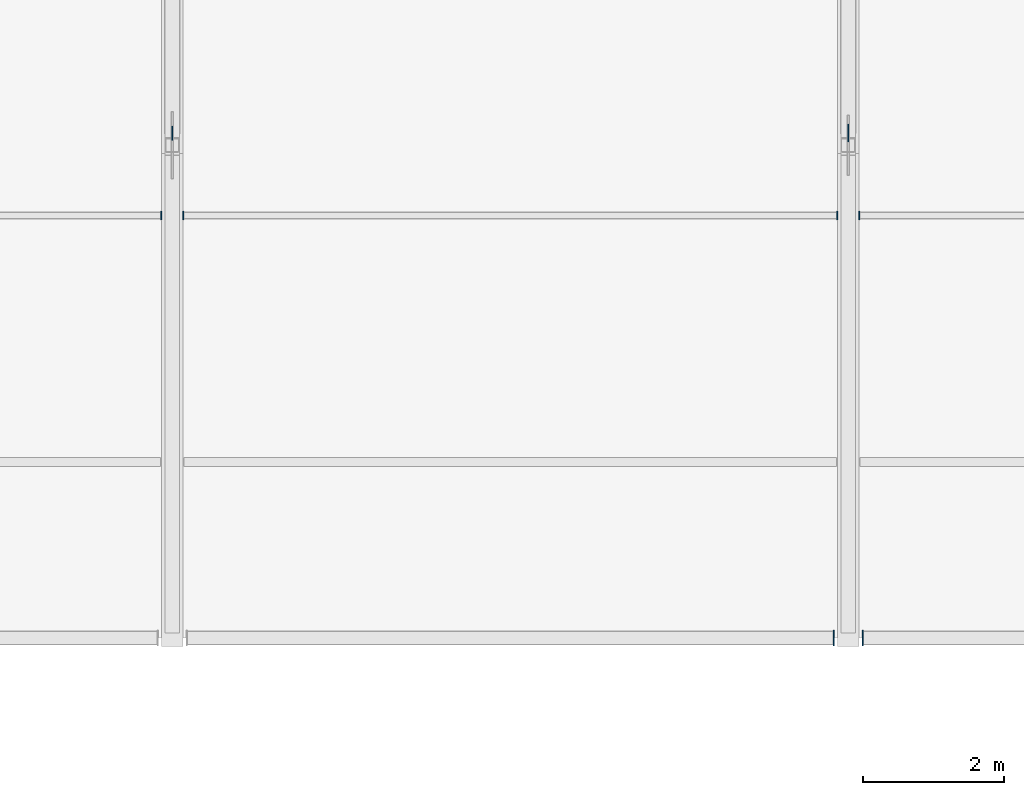
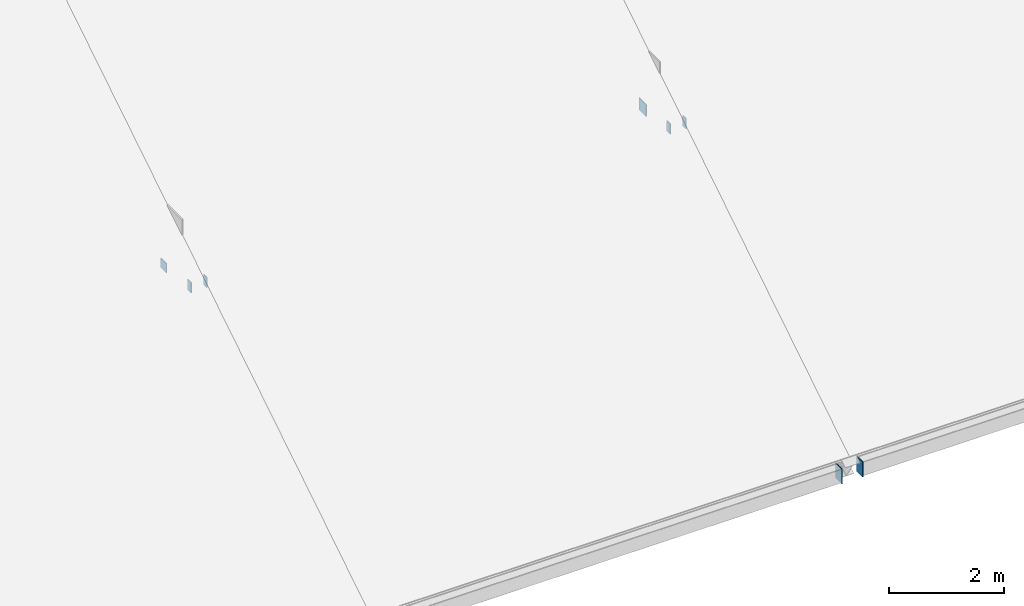
# One storey, part 45 of 66: 8 plates.
"""IFC4 building model written with IfcOpenShell, lengths in metres."""

from ifc_helpers import new_model, si_unit, direction, frame, origin, origin_2d, place, context, subcontext, project, spatial, rectangle, extrude, material, layer, layer_set, type_object, element, save


model = new_model("IFC4")

# Units and contexts
model_context = context("Model", 3, precision=1e-05, world=origin(), true_north=direction((0.0, 1.0)))
body_context = subcontext(model_context, "Body", "Model", "MODEL_VIEW")
ifc_project = project(units=[si_unit("LENGTHUNIT", "METRE"), si_unit("AREAUNIT", "SQUARE_METRE"), si_unit("VOLUMEUNIT", "CUBIC_METRE"), si_unit("PLANEANGLEUNIT", "RADIAN"), si_unit("MASSUNIT", "GRAM", prefix="KILO")], contexts=[model_context])

# Site, building, storey
site_placement = place(None, origin())
site = spatial("IfcSite", under=ifc_project, at=site_placement, CompositionType="ELEMENT")
building_placement = place(site_placement, origin())
building = spatial("IfcBuilding", under=site, at=building_placement, Name="Yeouljin Market Hall", CompositionType="ELEMENT")
storey_placement = place(building_placement, frame((0.0, 0.0, 23.39990234375)))
storey = spatial("IfcBuildingStorey", under=building, at=storey_placement, Name="RF", CompositionType="ELEMENT", Elevation=23.39990234375)

# Plates
ifc_material_1 = material(Name="Steel SM355", Category="steel")
ifc_layer_1 = layer(ifc_material_1, 0.01611328125)
ifc_layer_set_1 = layer_set([ifc_layer_1], Name="Steel SM355")
plate_type_1 = type_object("IfcPlateType", Name="CapPlate_200x200x16", PredefinedType="SHEET", material=ifc_layer_set_1)
plate_1_placement = place(storey_placement, frame((112.199951171875, 43.172119140625, -9.04052734375), z_axis=(0.0, 0.0, 1.0), x_axis=(0.0, 1.0, 0.0)))
element("IfcPlate", 1, at=plate_1_placement, inside=storey, type_object=plate_type_1, Name="Hollow web end-cap plate 0033", PredefinedType="SHEET", context=body_context, shape_type="SweptSolid", body=[
    extrude(rectangle(XDim=0.199951171875, YDim=0.01611328125, at=origin_2d()), origin(), (0.0, 0.0, 1.0), 0.199951171875),
])
ifc_material_2 = material(Name="Steel SM355", Category="steel")
ifc_layer_2 = layer(ifc_material_2, 0.01611328125)
ifc_layer_set_2 = layer_set([ifc_layer_2], Name="Steel SM355")
plate_type_2 = type_object("IfcPlateType", Name="CapPlate_220x120x16", PredefinedType="SHEET", material=ifc_layer_set_2)
for number, where, z_axis, x_axis, name in (
    (2, (112.0419921875, 42.0, -8.71826171875), (0.0, 0.0, 1.0), (0.0, 1.0, 0.0), "Purlin end-cap plate 0182"),
    (3, (112.35791015625, 42.0, -8.71826171875), (0.0, 0.0, 1.0), (0.0, 1.0, 0.0), "Purlin end-cap plate 0205"),
    (4, (121.64208984375, 42.0, -8.71826171875), (0.0, 0.0, 1.0), (0.0, 1.0, 0.0), "Purlin end-cap plate 0206"),
    (5, (121.9580078125, 42.0, -8.71826171875), (0.0, 0.0, 1.0), (0.0, 1.0, 0.0), "Purlin end-cap plate 0217"),
):
    element("IfcPlate", number, at=place(storey_placement, frame(where, z_axis=z_axis, x_axis=x_axis)), inside=storey, type_object=plate_type_2, Name=name, PredefinedType="SHEET", context=body_context, shape_type="SweptSolid", body=[
        extrude(rectangle(XDim=0.1201171875, YDim=0.01611328125, at=origin_2d()), origin(), (0.0, 0.0, 1.0), 0.219970703125),
    ])
ifc_material_3 = material(Name="Steel SM355", Category="steel")
ifc_layer_3 = layer(ifc_material_3, 0.01611328125)
ifc_layer_set_3 = layer_set([ifc_layer_3], Name="Steel SM355")
plate_type_3 = type_object("IfcPlateType", Name="CapPlate_250x250x16", PredefinedType="SHEET", material=ifc_layer_set_3)
plate_2_placement = place(storey_placement, frame((121.800048828125, 43.172119140625, -9.065673828125), z_axis=(0.0, 0.0, 1.0), x_axis=(0.0, 1.0, 0.0)))
element("IfcPlate", 6, at=plate_2_placement, inside=storey, type_object=plate_type_3, Name="Hollow web end-cap plate 0037", PredefinedType="SHEET", context=body_context, shape_type="SweptSolid", body=[
    extrude(rectangle(XDim=0.25, YDim=0.01611328125, at=origin_2d()), origin(), (0.0, 0.0, 1.0), 0.25),
])
ifc_material_4 = material(Name="Steel SM355", Category="steel")
ifc_layer_4 = layer(ifc_material_4, 0.01611328125)
ifc_layer_set_4 = layer_set([ifc_layer_4], Name="Steel SM355")
plate_type_4 = type_object("IfcPlateType", Name="CapPlate_320x220x16", PredefinedType="SHEET", material=ifc_layer_set_4)
for number, where, z_axis, x_axis, name in (
    (7, (121.592041015625, 36.0, -12.43994140625), (0.0, 0.0, 1.0), (0.0, 1.0, 0.0), "Eaves girder end-cap plate S09-E"),
    (8, (122.008056640625, 36.0, -12.43994140625), (0.0, 0.0, 1.0), (0.0, 1.0, 0.0), "Eaves girder end-cap plate S10-W"),
):
    element("IfcPlate", number, at=place(storey_placement, frame(where, z_axis=z_axis, x_axis=x_axis)), inside=storey, type_object=plate_type_4, Name=name, PredefinedType="SHEET", context=body_context, shape_type="SweptSolid", body=[
        extrude(rectangle(XDim=0.219970703125, YDim=0.01611328125, at=origin_2d()), origin(), (0.0, 0.0, 1.0), 0.320068359375),
    ])

save(model, "model.ifc")
